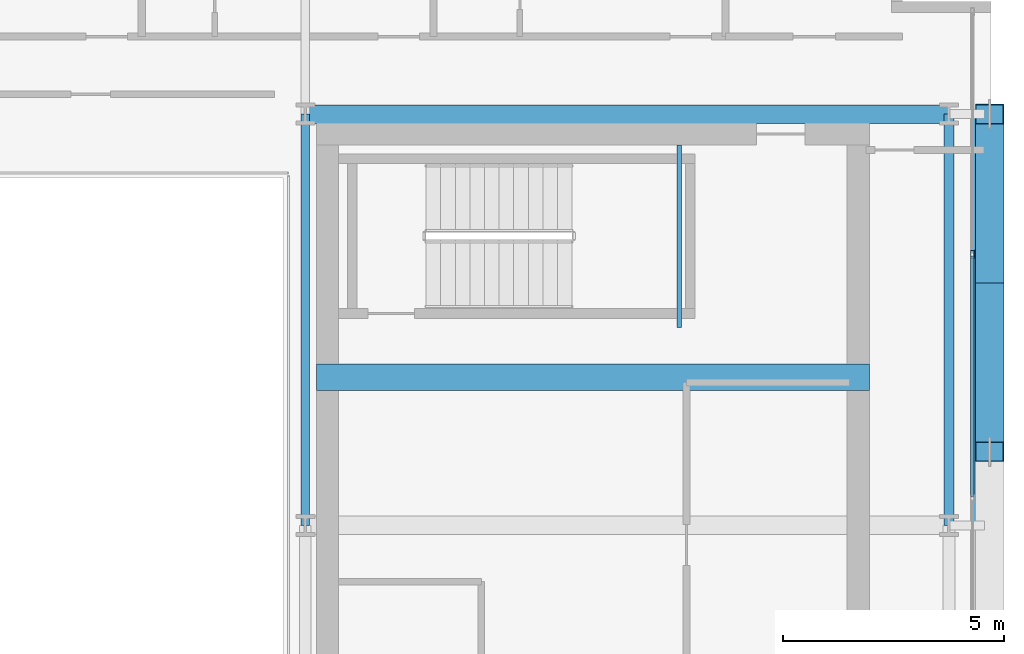
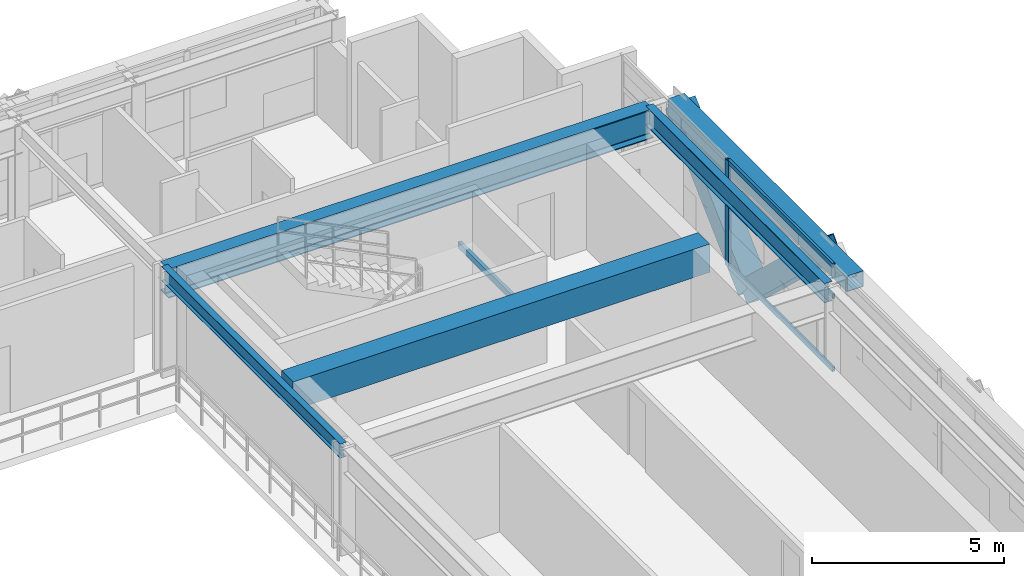
# One storey, part 14 of 32: 6 beams, 6 members, 1 element without a shape of its own.
"""IFC4 building model written with IfcOpenShell, lengths in metres."""

from ifc_helpers import new_model, si_unit, direction, frame, origin, origin_2d, place, context, subcontext, project, spatial, rectangle, hollow_rectangle, i_section, extrude, source, transform, mapped, material, layer, layer_set, material_profile, profile_set, type_object, element, aggregate, save


model = new_model("IFC4")

# Units and contexts
model_context = context("Model", 3, precision=1e-05, world=origin(), true_north=direction((0.0, 1.0)))
body_context = subcontext(model_context, "Body", "Model", "MODEL_VIEW")
ifc_project = project(units=[si_unit("LENGTHUNIT", "METRE"), si_unit("AREAUNIT", "SQUARE_METRE"), si_unit("VOLUMEUNIT", "CUBIC_METRE"), si_unit("PLANEANGLEUNIT", "RADIAN"), si_unit("MASSUNIT", "GRAM", prefix="KILO")], contexts=[model_context])

# Site, building, storey
site_placement = place(None, origin())
site = spatial("IfcSite", under=ifc_project, at=site_placement, CompositionType="ELEMENT")
building_placement = place(site_placement, origin())
building = spatial("IfcBuilding", under=site, at=building_placement, Name="Ocotamira Hotel", CompositionType="ELEMENT")
storey_placement = place(building_placement, frame((0.0, 0.0, 206.39990234375)))
storey = spatial("IfcBuildingStorey", under=building, at=storey_placement, Name="L52", CompositionType="ELEMENT", Elevation=206.39990234375)

# Beams
ifc_material_1 = material(Name="Concrete C50/60", Category="concrete")
ifc_material_profile_1 = material_profile(ifc_material_1, rectangle(XDim=0.60009765625, YDim=0.89990234375, at=origin_2d()), Name="RC600X900")
ifc_profile_set_1 = profile_set([ifc_material_profile_1], Name="Concrete C50/60")
beam_type_1 = type_object("IfcBeamType", Name="BM-LINK-RC600", PredefinedType="LINTEL", material=ifc_profile_set_1)
shared_shape_1 = source(origin(), body_context, "Body", "SweptSolid", [
    extrude(rectangle(XDim=0.60009765625, YDim=0.89990234375, at=origin_2d()), origin(), (0.0, 0.0, 1.0), 12.5),
])
beam_1_placement = place(storey_placement, frame((40.75, 31.5, 2.920166015625), z_axis=(1.0, 0.0, 0.0), x_axis=(0.0, 1.0, 0.0)))
element("IfcBeam", 1, at=beam_1_placement, inside=storey, type_object=beam_type_1, Name="L52 East Core Coupling Beam", PredefinedType="LINTEL", context=body_context, shape_type="MappedRepresentation", body=[
    mapped(shared_shape_1, transform((0.0, 0.0, 0.0), scale=1.0)),
])
ifc_material_2 = material(Name="Steel ASTM A500 Grade C", Category="steel")
ifc_material_profile_2 = material_profile(ifc_material_2, hollow_rectangle(XDim=0.10009765625, YDim=0.199951171875, WallThickness=0.008056640625, at=origin_2d()), Name="HSS200X100X8")
ifc_profile_set_2 = profile_set([ifc_material_profile_2], Name="Steel ASTM A500 Grade C")
beam_type_2 = type_object("IfcBeamType", Name="BM-STLDG-HSS200", PredefinedType="BEAM", material=ifc_profile_set_2)
shared_shape_2 = source(origin(), body_context, "Body", "SweptSolid", [
    extrude(hollow_rectangle(XDim=0.10009765625, YDim=0.199951171875, WallThickness=0.008056640625, at=origin_2d()), origin(), (0.0, 0.0, 1.0), 4.1201171875),
])
beam_2_placement = place(storey_placement, frame((48.949951171875, 32.6298828125, 1.5), z_axis=(0.0, 1.0, 0.0), x_axis=(-1.0, 0.0, 0.0)))
element("IfcBeam", 2, at=beam_2_placement, inside=storey, type_object=beam_type_2, Name="L52 Stair ST-4 Landing Bearer 1", PredefinedType="BEAM", context=body_context, shape_type="MappedRepresentation", body=[
    mapped(shared_shape_2, transform((0.0, 0.0, 0.0), scale=1.0)),
])
ifc_material_3 = material(Name="Steel ASTM A992 Grade 50", Category="steel")
ifc_material_profile_3 = material_profile(ifc_material_3, i_section(OverallWidth=0.41796875, OverallDepth=0.927001953125, WebThickness=0.019287109375, FlangeThickness=0.031982421875, FilletRadius=0.02392578125, at=origin_2d()), Name="W36X231")
ifc_profile_set_3 = profile_set([ifc_material_profile_3], Name="Steel ASTM A992 Grade 50")
beam_type_3 = type_object("IfcBeamType", Name="BM-GIRD-W36X231", PredefinedType="BEAM", material=ifc_profile_set_3)
shared_shape_3 = source(origin(), body_context, "Body", "SweptSolid", [
    extrude(i_section(OverallWidth=0.41796875, OverallDepth=0.927001953125, WebThickness=0.019287109375, FlangeThickness=0.031982421875, FilletRadius=0.02392578125, at=origin_2d()), origin(), (0.0, 0.0, 1.0), 14.550048828125),
])
beam_3_placement = place(storey_placement, frame((40.5, 37.449951171875, 2.906494140625), z_axis=(1.0, 0.0, 0.0), x_axis=(0.0, 1.0, 0.0)))
element("IfcBeam", 3, at=beam_3_placement, inside=storey, type_object=beam_type_3, Name="L52 Girder Y37.45 X40.5-55.05", PredefinedType="BEAM", context=body_context, shape_type="MappedRepresentation", body=[
    mapped(shared_shape_3, transform((0.0, 0.0, 0.0), scale=1.0)),
])
ifc_material_profile_4 = material_profile(ifc_material_3, i_section(OverallWidth=0.22998046875, OverallDepth=0.616943359375, WebThickness=0.01318359375, FlangeThickness=0.022216796875, FilletRadius=0.012939453125, at=origin_2d()), Name="W24X94")
ifc_profile_set_4 = profile_set([ifc_material_profile_4], Name="Steel ASTM A992 Grade 50")
beam_type_4 = type_object("IfcBeamType", Name="BM-PRIM-W24X94", PredefinedType="BEAM", material=ifc_profile_set_4)
shared_shape_4 = source(origin(), body_context, "Body", "SweptSolid", [
    extrude(i_section(OverallWidth=0.22998046875, OverallDepth=0.616943359375, WebThickness=0.01318359375, FlangeThickness=0.022216796875, FilletRadius=0.012939453125, at=origin_2d()), origin(), (0.0, 0.0, 1.0), 9.300048828125),
])
beam_4_placement = place(storey_placement, frame((55.050048828125, 28.14990234375, 3.0615234375), z_axis=(0.0, 1.0, 0.0), x_axis=(-1.0, 0.0, 0.0)))
element("IfcBeam", 4, at=beam_4_placement, inside=storey, type_object=beam_type_4, Name="L52 Beam X55.05 Y28.15-37.45", PredefinedType="BEAM", context=body_context, shape_type="MappedRepresentation", body=[
    mapped(shared_shape_4, transform((0.0, 0.0, 0.0), scale=1.0)),
])
ifc_material_profile_5 = material_profile(ifc_material_3, i_section(OverallWidth=0.18994140625, OverallDepth=0.45703125, WebThickness=0.009033203125, FlangeThickness=0.014404296875, FilletRadius=0.010009765625, at=origin_2d()), Name="W18X50")
ifc_profile_set_5 = profile_set([ifc_material_profile_5], Name="Steel ASTM A992 Grade 50")
beam_type_5 = type_object("IfcBeamType", Name="BM-SEC-W18X50", PredefinedType="JOIST", material=ifc_profile_set_5)
shared_shape_5 = source(origin(), body_context, "Body", "SweptSolid", [
    extrude(i_section(OverallWidth=0.18994140625, OverallDepth=0.45703125, WebThickness=0.009033203125, FlangeThickness=0.014404296875, FilletRadius=0.010009765625, at=origin_2d()), origin(), (0.0, 0.0, 1.0), 9.300048828125),
])
beam_5_placement = place(storey_placement, frame((40.5, 28.14990234375, 3.1416015625), z_axis=(0.0, 1.0, 0.0), x_axis=(-1.0, 0.0, 0.0)))
element("IfcBeam", 5, at=beam_5_placement, inside=storey, type_object=beam_type_5, Name="L52 Beam X40.5 Y28.15-37.45", PredefinedType="JOIST", context=body_context, shape_type="MappedRepresentation", body=[
    mapped(shared_shape_5, transform((0.0, 0.0, 0.0), scale=1.0)),
])
ifc_material_profile_6 = material_profile(ifc_material_2, hollow_rectangle(XDim=0.5, YDim=0.5, WallThickness=0.02001953125, at=origin_2d()), Name="HSS500X500X20")
ifc_profile_set_6 = profile_set([ifc_material_profile_6], Name="Steel ASTM A500 Grade C")
beam_type_6 = type_object("IfcBeamType", Name="BM-SPAN-HSS500", PredefinedType="USERDEFINED", material=ifc_profile_set_6)
shared_shape_6 = source(origin(), body_context, "Body", "SweptSolid", [
    extrude(hollow_rectangle(XDim=0.5, YDim=0.5, WallThickness=0.02001953125, at=origin_2d()), origin(), (0.0, 0.0, 1.0), 9.300048828125),
])
beam_6_placement = place(storey_placement, frame((55.85009765625, 28.14990234375, 3.1201171875), z_axis=(0.0, 1.0, 0.0), x_axis=(-1.0, 0.0, 0.0)))
element("IfcBeam", 6, at=beam_6_placement, inside=storey, type_object=beam_type_6, Name="L52 Edge Spandrel E Y28.15-37.45", ObjectType="SPANDREL", PredefinedType="USERDEFINED", context=body_context, shape_type="MappedRepresentation", body=[
    mapped(shared_shape_6, transform((0.0, 0.0, 0.0), scale=1.0)),
])

# Members
ifc_material_4 = material(Name="Pale-metal coated steel ASTM A913 Grade 65", Category="steel")
ifc_material_profile_7 = material_profile(ifc_material_4, hollow_rectangle(XDim=0.64990234375, YDim=0.64990234375, WallThickness=0.02197265625, at=origin_2d()), Name="BOX650X650X22")
ifc_profile_set_7 = profile_set([ifc_material_profile_7], Name="Pale-metal coated steel ASTM A913 Grade 65")
member_type_1 = type_object("IfcMemberType", Name="MEM-EXO-BOX650", PredefinedType="BRACE", material=ifc_profile_set_7)
shared_shape_7 = source(origin(), body_context, "Body", "SweptSolid", [
    extrude(hollow_rectangle(XDim=0.64990234375, YDim=0.64990234375, WallThickness=0.02197265625, at=origin_2d()), origin(), (0.0, 0.0, 1.0), 5.24658203125),
])
for number, where, z_axis, x_axis, name in (
    (7, (55.969970703125, 33.63330078125, -0.47998046875), (0.0, -0.727442733726, 0.686168397078), (1.0, 0.0, 0.0), "L52 Exoskeleton Diagrid E2.1"),
    (8, (55.969970703125, 33.63330078125, -0.47998046875), (0.0, 0.727442733726, 0.686168397078), (-1.0, 0.0, 0.0), "L52 Exoskeleton Diagrid E2.2"),
):
    element("IfcMember", number, at=place(storey_placement, frame(where, z_axis=z_axis, x_axis=x_axis)), inside=storey, type_object=member_type_1, Name=name, PredefinedType="BRACE", context=body_context, shape_type="MappedRepresentation", body=[
        mapped(shared_shape_7, transform((0.0, 0.0, 0.0), scale=1.0)),
    ])

# Curtain wall, members
ifc_material_5 = material(Name="Anodised pale-metal aluminium and solar glass", Category="aluminium")
ifc_layer = layer(ifc_material_5, 0.199951171875)
ifc_layer_set = layer_set([ifc_layer], Name="Anodised pale-metal aluminium and solar glass")
curtain_wall_type = type_object("IfcCurtainWallType", Name="CW-SYS4-Z3", PredefinedType="NOTDEFINED", material=ifc_layer_set)
curtain_wall_placement = place(storey_placement, origin())
curtain_wall = element("IfcCurtainWall", 9, at=curtain_wall_placement, inside=storey, type_object=curtain_wall_type, Name="L52 Curtain Wall CW-4 CW-L52-E", PredefinedType="NOTDEFINED")
ifc_material_6 = material(Name="Anodised pale-metal aluminium 6063-T6", Category="aluminium")
ifc_material_profile_8 = material_profile(ifc_material_6, hollow_rectangle(XDim=0.080078125, YDim=0.179931640625, WallThickness=0.006103515625, at=origin_2d()), Name="HSS180X80X6")
ifc_profile_set_8 = profile_set([ifc_material_profile_8], Name="Anodised pale-metal aluminium 6063-T6")
member_type_2 = type_object("IfcMemberType", Name="CWM-180X75", PredefinedType="MULLION", material=ifc_profile_set_8)
shared_shape_8 = source(origin(), body_context, "Body", "SweptSolid", [
    extrude(hollow_rectangle(XDim=0.080078125, YDim=0.179931640625, WallThickness=0.006103515625, at=origin_2d()), origin(), (0.0, 0.0, 1.0), 3.3701171875),
])
member_1_placement = place(storey_placement, frame((55.580078125, 34.280029296875, 0.0), z_axis=(0.0, 0.0, 1.0), x_axis=(-1.0, 0.0, 0.0)))
member_1 = element("IfcMember", 10, at=member_1_placement, type_object=member_type_2, Name="CW-4 mullion 5", PredefinedType="MULLION", context=body_context, shape_type="MappedRepresentation", body=[
    mapped(shared_shape_8, transform((0.0, 0.0, 0.0), scale=1.0)),
])
ifc_material_profile_9 = material_profile(ifc_material_6, hollow_rectangle(XDim=0.074951171875, YDim=0.14990234375, WallThickness=0.006103515625, at=origin_2d()), Name="HSS150X75X6")
ifc_profile_set_9 = profile_set([ifc_material_profile_9], Name="Anodised pale-metal aluminium 6063-T6")
member_type_3 = type_object("IfcMemberType", Name="CWT-150X75", PredefinedType="USERDEFINED", material=ifc_profile_set_9)
shared_shape_9 = source(origin(), body_context, "Body", "SweptSolid", [
    extrude(hollow_rectangle(XDim=0.074951171875, YDim=0.14990234375, WallThickness=0.006103515625, at=origin_2d()), origin(), (0.0, 0.0, 1.0), 5.43994140625),
])
member_2_placement = place(storey_placement, frame((55.580078125, 28.800048828125, 0.03759765625), z_axis=(0.0, 1.0, 0.0), x_axis=(-1.0, 0.0, 0.0)))
member_2 = element("IfcMember", 11, at=member_2_placement, type_object=member_type_3, Name="CW-4 transom 4.1", ObjectType="TRANSOM", PredefinedType="USERDEFINED", context=body_context, shape_type="MappedRepresentation", body=[
    mapped(shared_shape_9, transform((0.0, 0.0, 0.0), scale=1.0)),
])
member_3_placement = place(storey_placement, frame((55.580078125, 28.800048828125, 2.35009765625), z_axis=(0.0, 1.0, 0.0), x_axis=(-1.0, 0.0, 0.0)))
member_3 = element("IfcMember", 12, at=member_3_placement, type_object=member_type_3, Name="CW-4 transom 4.2", ObjectType="TRANSOM", PredefinedType="USERDEFINED", context=body_context, shape_type="MappedRepresentation", body=[
    mapped(shared_shape_9, transform((0.0, 0.0, 0.0), scale=1.0)),
])
member_4_placement = place(storey_placement, frame((55.580078125, 28.800048828125, 3.33251953125), z_axis=(0.0, 1.0, 0.0), x_axis=(-1.0, 0.0, 0.0)))
member_4 = element("IfcMember", 13, at=member_4_placement, type_object=member_type_3, Name="CW-4 transom 4.3", ObjectType="TRANSOM", PredefinedType="USERDEFINED", context=body_context, shape_type="MappedRepresentation", body=[
    mapped(shared_shape_9, transform((0.0, 0.0, 0.0), scale=1.0)),
])
aggregate(curtain_wall, [member_1, member_2, member_3, member_4])

save(model, "model.ifc")
